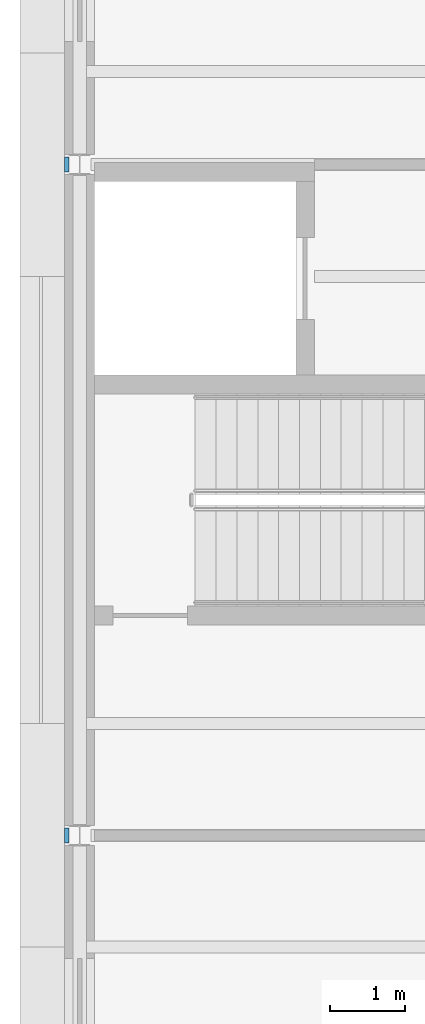
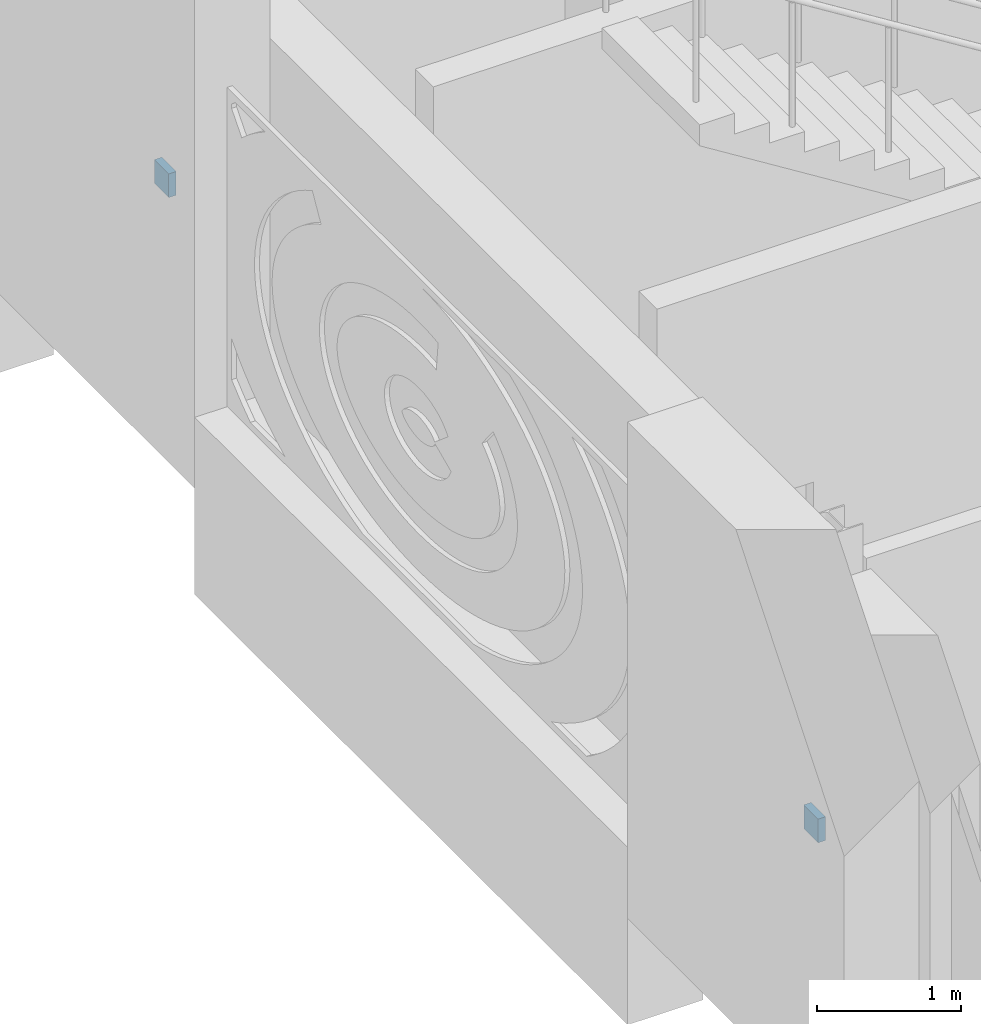
# One storey, part 126 of 154: 2 discrete accessories.
"""IFC4 building model written with IfcOpenShell, lengths in metres."""

import ifcopenshell
import ifcopenshell.guid

model = None  # the IFC model being written
_history = None  # IfcOwnerHistory: only IFC2X3 demands one
_inside = {}  # id of a spatial element -> (the spatial element, [elements in it])
_under = {}  # id of a project, library or spatial element -> (it, [spatial elements below it])
_declared = {}  # id of a project -> (the project, [libraries it declares])
_typed = {}  # id of a type object -> (the type object, [elements of that type])
_made_of = {}  # id of a material, layer set ... -> (it, [elements and type objects made of it])


def new_model(schema):
    """Start an empty IFC model of exactly this schema.

    Asked for "IFC4X3", IfcOpenShell would pick the latest addendum, in which some entities
    have other attributes; the version numbers below select the first issue.
    IFC2X3 requires an IfcOwnerHistory on every rooted entity: one is made here for all.
    """
    global model, _history
    if schema == "IFC4X3":
        model = ifcopenshell.file(schema_version=(4, 3, 0, 0))
    else:
        model = ifcopenshell.file(schema=schema)
    _inside.clear()
    _under.clear()
    _declared.clear()
    _typed.clear()
    _made_of.clear()
    _history = None
    if model.schema == "IFC2X3":
        org = make("IfcOrganization", Name="unknown")
        user = make(
            "IfcPersonAndOrganization",
            ThePerson=make("IfcPerson", FamilyName="unknown"),
            TheOrganization=org,
        )
        app = make(
            "IfcApplication",
            ApplicationDeveloper=org,
            Version="unknown",
            ApplicationFullName="unknown",
            ApplicationIdentifier="unknown",
        )
        _history = make(
            "IfcOwnerHistory",
            OwningUser=user,
            OwningApplication=app,
            ChangeAction="ADDED",
            CreationDate=0,
        )
    return model


def make(cls, **values):
    """One entity of the class cls with the attributes given. An attribute that is None is left unset."""
    return model.create_entity(
        cls, **{name: value for name, value in values.items() if value is not None}
    )


def rooted(cls, **values):
    """An entity with a GlobalId (a new one), such as an element, a storey or a relation."""
    return make(cls, GlobalId=ifcopenshell.guid.new(), OwnerHistory=_history, **values)


def si_unit(unit_type, name, prefix=None):
    """IfcSIUnit, for example si_unit("LENGTHUNIT", "METRE", prefix="MILLI")."""
    return make("IfcSIUnit", UnitType=unit_type, Prefix=prefix, Name=name)


def assignment(units):
    """IfcUnitAssignment: the units of a project."""
    return None if units is None else make("IfcUnitAssignment", Units=units)


def point(xyz):
    """IfcCartesianPoint."""
    return None if xyz is None else make("IfcCartesianPoint", Coordinates=xyz)


def direction(xyz):
    """IfcDirection."""
    return None if xyz is None else make("IfcDirection", DirectionRatios=xyz)


def frame(location, z_axis=None, x_axis=None):
    """IfcAxis2Placement3D, a coordinate frame: its origin and axes. An axis left out is left unset."""
    return make(
        "IfcAxis2Placement3D",
        Location=point(location),
        Axis=direction(z_axis),
        RefDirection=direction(x_axis),
    )


def frame_2d(location, x_axis=None):
    """IfcAxis2Placement2D, a coordinate frame in the plane: its origin and x axis."""
    return make(
        "IfcAxis2Placement2D", Location=point(location), RefDirection=direction(x_axis)
    )


def origin():
    """The frame at (0, 0, 0) with its axes left unset."""
    return frame((0.0, 0.0, 0.0))


def origin_2d():
    """The frame at (0, 0) in the plane with its x axis left unset."""
    return frame_2d((0.0, 0.0))


def place(relative_to, where):
    """IfcLocalPlacement: puts the frame where relative to a parent placement (None: the world)."""
    return make(
        "IfcLocalPlacement", PlacementRelTo=relative_to, RelativePlacement=where
    )


def context(
    kind, dimensions, precision=None, world=None, true_north=None, identifier=None
):
    """IfcGeometricRepresentationContext, for example the 3D "Model" context."""
    return make(
        "IfcGeometricRepresentationContext",
        ContextIdentifier=identifier,
        ContextType=kind,
        CoordinateSpaceDimension=dimensions,
        Precision=precision,
        WorldCoordinateSystem=world,
        TrueNorth=true_north,
    )


def subcontext(parent, identifier, kind, view, scale=None):
    """IfcGeometricRepresentationSubContext, for example "Body" below "Model"."""
    return make(
        "IfcGeometricRepresentationSubContext",
        ContextIdentifier=identifier,
        ContextType=kind,
        ParentContext=parent,
        TargetScale=scale,
        TargetView=view,
    )


def project(units=None, contexts=None):
    """IfcProject with its units and contexts."""
    return rooted(
        "IfcProject",
        Name="project",
        RepresentationContexts=contexts,
        UnitsInContext=assignment(units),
    )


def spatial(cls, under=None, at=None, **own):
    """A site, building, storey or space (cls), placed at a placement, below another one or the project."""
    s = rooted(cls, ObjectPlacement=at, **own)
    if under is not None:
        _under.setdefault(under.id(), (under, []))[1].append(s)
    return s


def profile(cls, at=None, kind="AREA", **sizes):
    """A parametric profile (cls). Its sizes go by their IFC names, for example OverallWidth=200.0."""
    return make(cls, ProfileType=kind, Position=at, **sizes)


def rectangle(**sizes):
    """IfcRectangleProfileDef."""
    return profile("IfcRectangleProfileDef", **sizes)


def extrude(swept, where, along, depth):
    """IfcExtrudedAreaSolid: the profile swept, set in the frame where, extruded along a direction by depth."""
    return make(
        "IfcExtrudedAreaSolid",
        SweptArea=swept,
        Position=where,
        ExtrudedDirection=direction(along),
        Depth=depth,
    )


def shape(context_of_items, identifier, shape_type, items):
    """IfcShapeRepresentation: the items that make up one representation, for example the "Body"."""
    return make(
        "IfcShapeRepresentation",
        ContextOfItems=context_of_items,
        RepresentationIdentifier=identifier,
        RepresentationType=shape_type,
        Items=items,
    )


def material(Name=None, Category=None):
    """IfcMaterial."""
    return make("IfcMaterial", Name=Name, Category=Category)


def made_of(thing, what):
    """Note that an element or type object is made of a material, layer set ...; save() writes the relation."""
    if what is not None:
        _made_of.setdefault(what.id(), (what, []))[1].append(thing)
    return thing


def type_object(cls, material=None, **own):
    """A type object (cls), such as IfcWallType, which elements share."""
    return made_of(rooted(cls, **own), material)


def element(
    cls,
    number,
    at=None,
    inside=None,
    cuts=None,
    type_object=None,
    material=None,
    context=None,
    identifier="Body",
    shape_type=None,
    held_by="IfcProductDefinitionShape",
    body=None,
    shapes=None,
    **own,
):
    """One element of the class cls, such as IfcWall. Its Tag is "e" and its number.

    at: its placement. inside: the storey or other place that contains it. cuts: it is an
    opening in that element (IfcRelVoidsElement). A single representation is given by context,
    identifier, shape_type and body (its items); several are given by shapes. held_by: the class
    of the entity that holds the representations. save() writes the other relations.
    """
    e = rooted(cls, Tag="e%d" % number, ObjectPlacement=at, **own)
    if body is not None:
        shapes = [shape(context, identifier, shape_type, body)]
    if shapes is not None:
        e.Representation = make(held_by, Representations=shapes)
    if inside is not None:
        _inside.setdefault(inside.id(), (inside, []))[1].append(e)
    if cuts is not None:
        rooted(
            "IfcRelVoidsElement", RelatingBuildingElement=cuts, RelatedOpeningElement=e
        )
    if type_object is not None:
        _typed.setdefault(type_object.id(), (type_object, []))[1].append(e)
    return made_of(e, material)


def aggregate(whole, parts):
    """IfcRelAggregates: a whole, such as a stair, and the parts it consists of."""
    return rooted("IfcRelAggregates", RelatingObject=whole, RelatedObjects=parts)


def save(model, path):
    """Write the relations noted so far, then the file.

    IfcRelAggregates (storeys below a building ...), IfcRelContainedInSpatialStructure (elements
    in a storey), IfcRelDefinesByType, IfcRelAssociatesMaterial and IfcRelDeclares: one each for
    every whole, place, type object, material and project.
    """
    for whole, parts in _under.values():
        aggregate(whole, parts)
    for where, things in _inside.values():
        rooted(
            "IfcRelContainedInSpatialStructure",
            RelatedElements=things,
            RelatingStructure=where,
        )
    for kind, things in _typed.values():
        rooted("IfcRelDefinesByType", RelatedObjects=things, RelatingType=kind)
    for what, things in _made_of.values():
        rooted("IfcRelAssociatesMaterial", RelatedObjects=things, RelatingMaterial=what)
    for by, libraries in _declared.values():
        rooted("IfcRelDeclares", RelatingContext=by, RelatedDefinitions=libraries)
    model.write(path)


model = new_model("IFC4")

# Units and contexts
model_context = context("Model", 3, precision=1e-05, world=origin(), true_north=direction((0.0, 1.0)))
body_context = subcontext(model_context, "Body", "Model", "MODEL_VIEW")
ifc_project = project(units=[si_unit("LENGTHUNIT", "METRE"), si_unit("AREAUNIT", "SQUARE_METRE"), si_unit("VOLUMEUNIT", "CUBIC_METRE"), si_unit("PLANEANGLEUNIT", "RADIAN"), si_unit("MASSUNIT", "GRAM", prefix="KILO")], contexts=[model_context])

# Site, building, storey
site_placement = place(None, origin())
site = spatial("IfcSite", under=ifc_project, at=site_placement, CompositionType="ELEMENT")
building_placement = place(site_placement, origin())
building = spatial("IfcBuilding", under=site, at=building_placement, Name="Golden Quay Civic Hall", CompositionType="ELEMENT")
storey_placement = place(building_placement, frame((0.0, 0.0, 14.39990234375)))
storey = spatial("IfcBuildingStorey", under=building, at=storey_placement, Name="L03", CompositionType="ELEMENT", Elevation=14.39990234375)

# Discrete accessories
ifc_material = material(Name="Steel S355", Category="steel")
discrete_accessory_type = type_object("IfcDiscreteAccessoryType", Name="Pier fixing bracket 200 x 200", PredefinedType="BRACKET", material=ifc_material)
for number, where, z_axis, x_axis, name in (
    (1, (-0.169921875, 54.0, 1.39990234375), (0.0, 0.0, 1.0), (0.0, -1.0, 0.0), "Pier fixing bracket 200 x 200 L03 6"),
    (2, (-0.169921875, 63.0, 1.39990234375), (0.0, 0.0, 1.0), (0.0, -1.0, 0.0), "Pier fixing bracket 200 x 200 L03 7"),
):
    element("IfcDiscreteAccessory", number, at=place(storey_placement, frame(where, z_axis=z_axis, x_axis=x_axis)), inside=storey, type_object=discrete_accessory_type, Name=name, PredefinedType="BRACKET", context=body_context, shape_type="SweptSolid", body=[
        extrude(rectangle(XDim=0.199951171875, YDim=0.06005859375, at=origin_2d()), origin(), (0.0, 0.0, 1.0), 0.199951171875),
    ])

save(model, "model.ifc")
